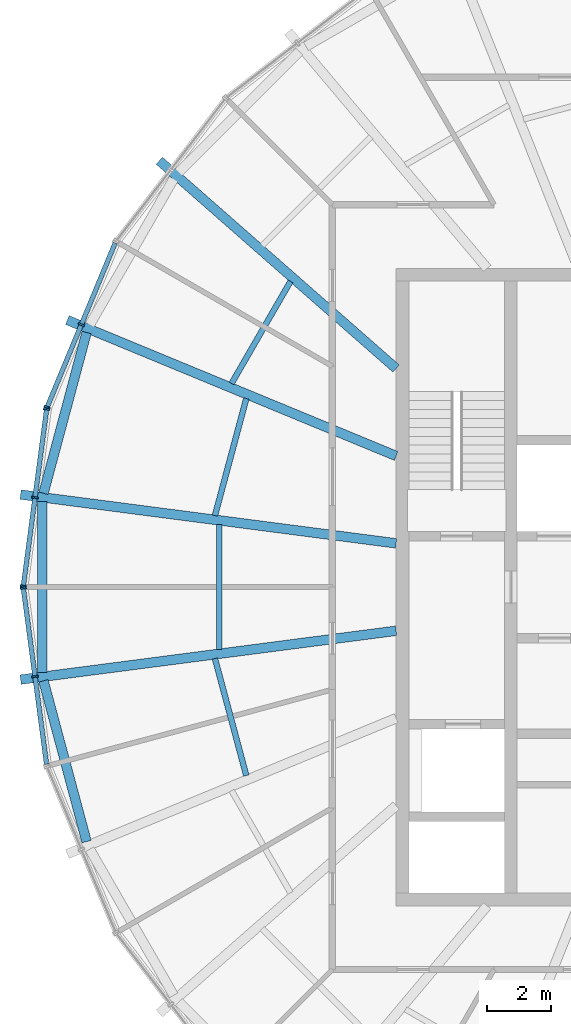
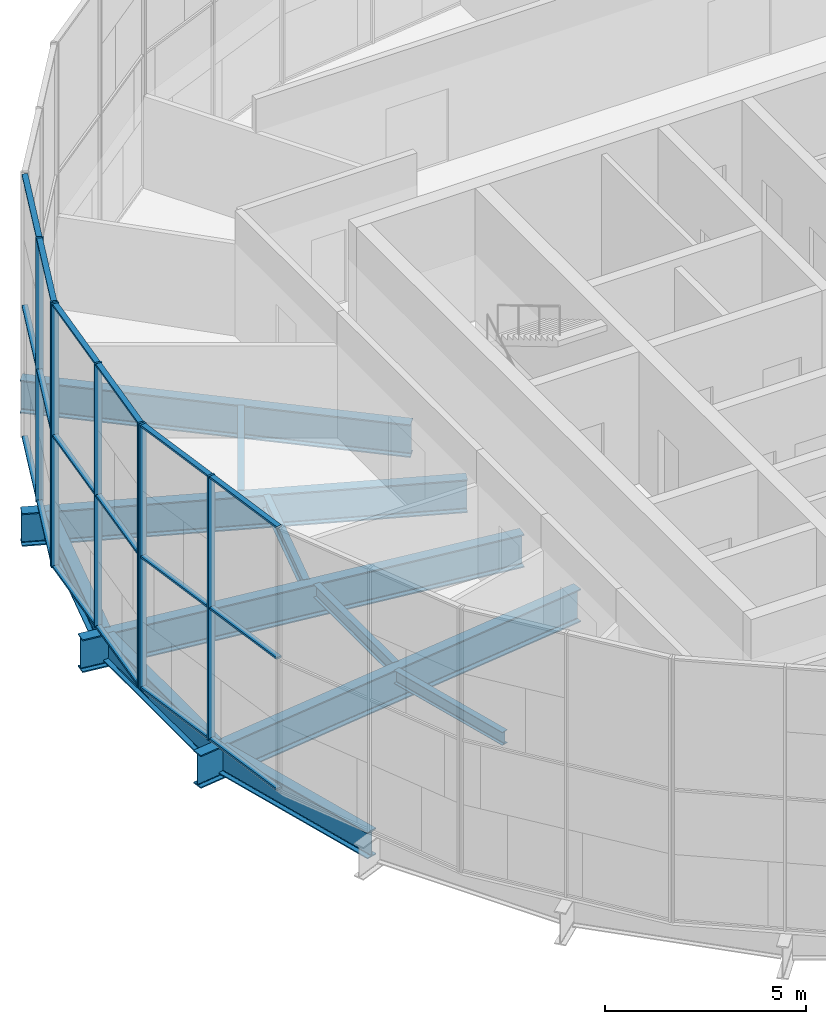
# One storey, part 3 of 18: 25 members, 11 beams, 3 elements without a shape of their own.
"""IFC4 building model written with IfcOpenShell, lengths in metres."""

from ifc_helpers import new_model, si_unit, direction, frame, origin, origin_2d, place, context, subcontext, project, spatial, rectangle, i_section, extrude, material, material_profile, profile_set, type_object, element, aggregate, save


model = new_model("IFC4")

# Units and contexts
model_context = context("Model", 3, precision=1e-05, world=origin(), true_north=direction((0.0, 1.0)))
body_context = subcontext(model_context, "Body", "Model", "MODEL_VIEW")
ifc_project = project(units=[si_unit("LENGTHUNIT", "METRE"), si_unit("AREAUNIT", "SQUARE_METRE"), si_unit("VOLUMEUNIT", "CUBIC_METRE"), si_unit("PLANEANGLEUNIT", "RADIAN"), si_unit("MASSUNIT", "GRAM", prefix="KILO")], contexts=[model_context])

# Site, building, storey
site_placement = place(None, origin())
site = spatial("IfcSite", under=ifc_project, at=site_placement, CompositionType="ELEMENT")
building_placement = place(site_placement, origin())
building = spatial("IfcBuilding", under=site, at=building_placement, Name="Golbaran Civic Tower", CompositionType="ELEMENT")
storey_placement = place(building_placement, frame((0.0, 0.0, 272.0)))
storey = spatial("IfcBuildingStorey", under=building, at=storey_placement, Name="L66", CompositionType="ELEMENT", Elevation=272.0)

# Beams
ifc_material_1 = material(Name="Steel S355", Category="steel")
ifc_material_profile_1 = material_profile(ifc_material_1, i_section(OverallWidth=0.300048828125, OverallDepth=0.800048828125, WebThickness=0.017578125, FlangeThickness=0.032958984375, FilletRadius=0.030029296875, at=origin_2d()), Name="HEB 800")
ifc_profile_set_1 = profile_set([ifc_material_profile_1], Name="Steel S355")
beam_type_1 = type_object("IfcBeamType", Name="EDGE BEAM HEB 800", PredefinedType="BEAM", material=ifc_profile_set_1)
beam_1_placement = place(storey_placement, frame((-19.710205078125, 7.986572265625, -0.60009765625), z_axis=(-0.258898847874, -0.965904439668, 0.0), x_axis=(0.965904439668, -0.258898847874, 0.0)))
element("IfcBeam", 1, at=beam_1_placement, inside=storey, type_object=beam_type_1, Name="Edge beam 157.59 L66", PredefinedType="BEAM", context=body_context, shape_type="SweptSolid", body=[
    extrude(i_section(OverallWidth=0.300048828125, OverallDepth=0.800048828125, WebThickness=0.017578125, FlangeThickness=0.032958984375, FilletRadius=0.030029296875, at=origin_2d()), origin(), (0.0, 0.0, 1.0), 5.22314453125),
])
beam_2_placement = place(storey_placement, frame((-21.096435546875, 2.68359375, -0.60009765625), z_axis=(0.0, -1.0, 0.0), x_axis=(1.0, 0.0, 0.0)))
element("IfcBeam", 2, at=beam_2_placement, inside=storey, type_object=beam_type_1, Name="Edge beam 172.41 L66", PredefinedType="BEAM", context=body_context, shape_type="SweptSolid", body=[
    extrude(i_section(OverallWidth=0.300048828125, OverallDepth=0.800048828125, WebThickness=0.017578125, FlangeThickness=0.032958984375, FilletRadius=0.030029296875, at=origin_2d()), origin(), (0.0, 0.0, 1.0), 5.3671875),
])
beam_3_placement = place(storey_placement, frame((-21.0625, -2.94140625, -0.60009765625), z_axis=(0.258898847874, -0.965904439668, 0.0), x_axis=(0.965904439668, 0.258898847874, 0.0)))
element("IfcBeam", 3, at=beam_3_placement, inside=storey, type_object=beam_type_1, Name="Edge beam 187.59 L66", PredefinedType="BEAM", context=body_context, shape_type="SweptSolid", body=[
    extrude(i_section(OverallWidth=0.300048828125, OverallDepth=0.800048828125, WebThickness=0.017578125, FlangeThickness=0.032958984375, FilletRadius=0.030029296875, at=origin_2d()), origin(), (0.0, 0.0, 1.0), 5.22314453125),
])
ifc_material_profile_2 = material_profile(ifc_material_1, i_section(OverallWidth=0.179931640625, OverallDepth=0.39990234375, WebThickness=0.008544921875, FlangeThickness=0.013427734375, FilletRadius=0.02099609375, at=origin_2d()), Name="IPE 400")
ifc_profile_set_2 = profile_set([ifc_material_profile_2], Name="Steel S355")
beam_type_2 = type_object("IfcBeamType", Name="FLOOR INFILL BEAM IPE 400", PredefinedType="BEAM", material=ifc_profile_set_2)
beam_4_placement = place(storey_placement, frame((-13.3125, 9.5908203125, -0.39990234375), z_axis=(-0.500015802937, -0.866016279763, 0.0), x_axis=(0.866016279763, -0.500015802937, 0.0)))
element("IfcBeam", 4, at=beam_4_placement, inside=storey, type_object=beam_type_2, Name="Infill beam 150.00 L66", PredefinedType="BEAM", context=body_context, shape_type="SweptSolid", body=[
    extrude(i_section(OverallWidth=0.179931640625, OverallDepth=0.39990234375, WebThickness=0.008544921875, FlangeThickness=0.013427734375, FilletRadius=0.02099609375, at=origin_2d()), origin(), (0.0, 0.0, 1.0), 3.6982421875),
])
beam_5_placement = place(storey_placement, frame((-14.69921875, 5.91552734375, -0.39990234375), z_axis=(-0.258813089189, -0.965927422152, 0.0), x_axis=(0.965927422152, -0.258813089189, 0.0)))
element("IfcBeam", 5, at=beam_5_placement, inside=storey, type_object=beam_type_2, Name="Infill beam 165.00 L66", PredefinedType="BEAM", context=body_context, shape_type="SweptSolid", body=[
    extrude(i_section(OverallWidth=0.179931640625, OverallDepth=0.39990234375, WebThickness=0.008544921875, FlangeThickness=0.013427734375, FilletRadius=0.02099609375, at=origin_2d()), origin(), (0.0, 0.0, 1.0), 3.803466796875),
])
beam_6_placement = place(storey_placement, frame((-15.548095703125, 1.9619140625, -0.39990234375), z_axis=(0.0, -1.0, 0.0), x_axis=(1.0, 0.0, 0.0)))
element("IfcBeam", 6, at=beam_6_placement, inside=storey, type_object=beam_type_2, Name="Infill beam 180.00 L66", PredefinedType="BEAM", context=body_context, shape_type="SweptSolid", body=[
    extrude(i_section(OverallWidth=0.179931640625, OverallDepth=0.39990234375, WebThickness=0.008544921875, FlangeThickness=0.013427734375, FilletRadius=0.02099609375, at=origin_2d()), origin(), (0.0, 0.0, 1.0), 3.923828125),
])
beam_7_placement = place(storey_placement, frame((-15.68359375, -2.24169921875, -0.39990234375), z_axis=(0.258813089189, -0.965927422152, 0.0), x_axis=(0.965927422152, 0.258813089189, 0.0)))
element("IfcBeam", 7, at=beam_7_placement, inside=storey, type_object=beam_type_2, Name="Infill beam 195.00 L66", PredefinedType="BEAM", context=body_context, shape_type="SweptSolid", body=[
    extrude(i_section(OverallWidth=0.179931640625, OverallDepth=0.39990234375, WebThickness=0.008544921875, FlangeThickness=0.013427734375, FilletRadius=0.02099609375, at=origin_2d()), origin(), (0.0, 0.0, 1.0), 3.803466796875),
])

# Curtain wall, members
ifc_material_2 = material(Name="Aluminium and glass", Category="aluminium")
curtain_wall_type = type_object("IfcCurtainWallType", Name="INNER SKIN CURTAIN WALL EXECUTIVE", PredefinedType="NOTDEFINED", material=ifc_material_2)
curtain_wall_1_placement = place(storey_placement, origin())
curtain_wall_1 = element("IfcCurtainWall", 8, at=curtain_wall_1_placement, inside=storey, type_object=curtain_wall_type, Name="Inner skin L66 facet 11 CW2", ObjectType="INNER SKIN", PredefinedType="USERDEFINED")
ifc_material_3 = material(Name="Aluminium", Category="aluminium")
ifc_material_profile_3 = material_profile(ifc_material_3, rectangle(XDim=0.199951171875, YDim=0.06005859375, at=origin_2d()), Name="INNER SKIN CURTAIN WALL EXECUTIVE MULLION")
ifc_profile_set_3 = profile_set([ifc_material_profile_3], Name="Aluminium")
member_type_1 = type_object("IfcMemberType", Name="INNER SKIN CURTAIN WALL EXECUTIVE MULLION", PredefinedType="MULLION", material=ifc_profile_set_3)
member_1_placement = place(storey_placement, frame((-19.875732421875, 8.23291015625, 0.0), z_axis=(0.0, 0.0, 1.0), x_axis=(0.923879532498, -0.382683432397, 0.0)))
member_1 = element("IfcMember", 9, at=member_1_placement, type_object=member_type_1, Name="CW2 mullion 2", PredefinedType="MULLION", context=body_context, shape_type="SweptSolid", body=[
    extrude(rectangle(XDim=0.199951171875, YDim=0.06005859375, at=origin_2d()), origin(), (0.0, 0.0, 1.0), 8.0),
])
member_2_placement = place(storey_placement, frame((-20.9482421875, 5.643798828125, 0.0), z_axis=(0.0, 0.0, 1.0), x_axis=(0.923879532498, -0.382683432397, 0.0)))
member_2 = element("IfcMember", 10, at=member_2_placement, type_object=member_type_1, Name="CW2 mullion 3", PredefinedType="MULLION", context=body_context, shape_type="SweptSolid", body=[
    extrude(rectangle(XDim=0.199951171875, YDim=0.06005859375, at=origin_2d()), origin(), (0.0, 0.0, 1.0), 8.0),
])

curtain_wall_2_placement = place(storey_placement, origin())
curtain_wall_2 = element("IfcCurtainWall", 11, at=curtain_wall_2_placement, inside=storey, type_object=curtain_wall_type, Name="Inner skin L66 facet 12 CW2", ObjectType="INNER SKIN", PredefinedType="USERDEFINED")
member_3_placement = place(storey_placement, frame((-20.963623046875, 5.58642578125, 0.0), z_axis=(0.0, 0.0, 1.0), x_axis=(0.991444861383, -0.130526192151, 0.0)))
member_3 = element("IfcMember", 12, at=member_3_placement, type_object=member_type_1, Name="CW2 mullion 1", PredefinedType="MULLION", context=body_context, shape_type="SweptSolid", body=[
    extrude(rectangle(XDim=0.199951171875, YDim=0.06005859375, at=origin_2d()), origin(), (0.0, 0.0, 1.0), 8.0),
])
member_4_placement = place(storey_placement, frame((-21.329345703125, 2.80810546875, 0.0), z_axis=(0.0, 0.0, 1.0), x_axis=(0.991444861383, -0.130526192151, 0.0)))
member_4 = element("IfcMember", 13, at=member_4_placement, type_object=member_type_1, Name="CW2 mullion 2", PredefinedType="MULLION", context=body_context, shape_type="SweptSolid", body=[
    extrude(rectangle(XDim=0.199951171875, YDim=0.06005859375, at=origin_2d()), origin(), (0.0, 0.0, 1.0), 8.0),
])
member_5_placement = place(storey_placement, frame((-21.695068359375, 0.02978515625, 0.0), z_axis=(0.0, 0.0, 1.0), x_axis=(0.991444861383, -0.130526192151, 0.0)))
member_5 = element("IfcMember", 14, at=member_5_placement, type_object=member_type_1, Name="CW2 mullion 3", PredefinedType="MULLION", context=body_context, shape_type="SweptSolid", body=[
    extrude(rectangle(XDim=0.199951171875, YDim=0.06005859375, at=origin_2d()), origin(), (0.0, 0.0, 1.0), 8.0),
])

curtain_wall_3_placement = place(storey_placement, origin())
curtain_wall_3 = element("IfcCurtainWall", 15, at=curtain_wall_3_placement, inside=storey, type_object=curtain_wall_type, Name="Inner skin L66 facet 13 CW2", ObjectType="INNER SKIN", PredefinedType="USERDEFINED")
member_6_placement = place(storey_placement, frame((-21.695068359375, -0.02978515625, 0.0), z_axis=(0.0, 0.0, 1.0), x_axis=(0.991444861383, 0.130526192151, 0.0)))
member_6 = element("IfcMember", 16, at=member_6_placement, type_object=member_type_1, Name="CW2 mullion 1", PredefinedType="MULLION", context=body_context, shape_type="SweptSolid", body=[
    extrude(rectangle(XDim=0.199951171875, YDim=0.06005859375, at=origin_2d()), origin(), (0.0, 0.0, 1.0), 8.0),
])
member_7_placement = place(storey_placement, frame((-21.329345703125, -2.80810546875, 0.0), z_axis=(0.0, 0.0, 1.0), x_axis=(0.991444861383, 0.130526192151, 0.0)))
member_7 = element("IfcMember", 17, at=member_7_placement, type_object=member_type_1, Name="CW2 mullion 2", PredefinedType="MULLION", context=body_context, shape_type="SweptSolid", body=[
    extrude(rectangle(XDim=0.199951171875, YDim=0.06005859375, at=origin_2d()), origin(), (0.0, 0.0, 1.0), 8.0),
])

# Member
ifc_material_profile_4 = material_profile(ifc_material_3, rectangle(XDim=0.14990234375, YDim=0.06005859375, at=origin_2d()), Name="INNER SKIN CURTAIN WALL EXECUTIVE TRANSOM")
ifc_profile_set_4 = profile_set([ifc_material_profile_4], Name="Aluminium")
member_type_2 = type_object("IfcMemberType", Name="INNER SKIN CURTAIN WALL EXECUTIVE TRANSOM", PredefinedType="USERDEFINED", material=ifc_profile_set_4)
member_8_placement = place(storey_placement, frame((-18.81494140625, 10.7939453125, 0.030029296875), z_axis=(-0.382661079663, -0.923888790987, 0.0), x_axis=(0.923888790987, -0.382661079663, 0.0)))
member_8 = element("IfcMember", 18, at=member_8_placement, type_object=member_type_2, Name="CW2 transom 1.1", ObjectType="TRANSOM", PredefinedType="USERDEFINED", context=body_context, shape_type="SweptSolid", body=[
    extrude(rectangle(XDim=0.14990234375, YDim=0.06005859375, at=origin_2d()), origin(), (0.0, 0.0, 1.0), 2.7421875),
])

member_9_placement = place(storey_placement, frame((-18.81494140625, 10.7939453125, 4.0), z_axis=(-0.382661079663, -0.923888790987, 0.0), x_axis=(0.923888790987, -0.382661079663, 0.0)))
member_9 = element("IfcMember", 19, at=member_9_placement, type_object=member_type_2, Name="CW2 transom 1.2", ObjectType="TRANSOM", PredefinedType="USERDEFINED", context=body_context, shape_type="SweptSolid", body=[
    extrude(rectangle(XDim=0.14990234375, YDim=0.06005859375, at=origin_2d()), origin(), (0.0, 0.0, 1.0), 2.7421875),
])

member_10_placement = place(storey_placement, frame((-18.81494140625, 10.7939453125, 7.969970703125), z_axis=(-0.382661079663, -0.923888790987, 0.0), x_axis=(0.923888790987, -0.382661079663, 0.0)))
member_10 = element("IfcMember", 20, at=member_10_placement, type_object=member_type_2, Name="CW2 transom 1.3", ObjectType="TRANSOM", PredefinedType="USERDEFINED", context=body_context, shape_type="SweptSolid", body=[
    extrude(rectangle(XDim=0.14990234375, YDim=0.06005859375, at=origin_2d()), origin(), (0.0, 0.0, 1.0), 2.7421875),
])

member_11_placement = place(storey_placement, frame((-19.88720703125, 8.205078125, 0.030029296875), z_axis=(-0.382737071174, -0.923857312765, 0.0), x_axis=(0.923857312765, -0.382737071174, 0.0)))
member_11 = element("IfcMember", 21, at=member_11_placement, type_object=member_type_2, Name="CW2 transom 2.1", ObjectType="TRANSOM", PredefinedType="USERDEFINED", context=body_context, shape_type="SweptSolid", body=[
    extrude(rectangle(XDim=0.14990234375, YDim=0.06005859375, at=origin_2d()), origin(), (0.0, 0.0, 1.0), 2.7421875),
])

member_12_placement = place(storey_placement, frame((-19.88720703125, 8.205078125, 4.0), z_axis=(-0.382737071174, -0.923857312765, 0.0), x_axis=(0.923857312765, -0.382737071174, 0.0)))
member_12 = element("IfcMember", 22, at=member_12_placement, type_object=member_type_2, Name="CW2 transom 2.2", ObjectType="TRANSOM", PredefinedType="USERDEFINED", context=body_context, shape_type="SweptSolid", body=[
    extrude(rectangle(XDim=0.14990234375, YDim=0.06005859375, at=origin_2d()), origin(), (0.0, 0.0, 1.0), 2.7421875),
])

member_13_placement = place(storey_placement, frame((-19.88720703125, 8.205078125, 7.969970703125), z_axis=(-0.382737071174, -0.923857312765, 0.0), x_axis=(0.923857312765, -0.382737071174, 0.0)))
member_13 = element("IfcMember", 23, at=member_13_placement, type_object=member_type_2, Name="CW2 transom 2.3", ObjectType="TRANSOM", PredefinedType="USERDEFINED", context=body_context, shape_type="SweptSolid", body=[
    extrude(rectangle(XDim=0.14990234375, YDim=0.06005859375, at=origin_2d()), origin(), (0.0, 0.0, 1.0), 2.7421875),
])

aggregate(curtain_wall_1, [member_1, member_2, member_8, member_9, member_10, member_11, member_12, member_13])

member_14_placement = place(storey_placement, frame((-20.967529296875, 5.556640625, 0.030029296875), z_axis=(-0.130518997427, -0.99144580856, 0.0), x_axis=(0.99144580856, -0.130518997427, 0.0)))
member_14 = element("IfcMember", 24, at=member_14_placement, type_object=member_type_2, Name="CW2 transom 1.1", ObjectType="TRANSOM", PredefinedType="USERDEFINED", context=body_context, shape_type="SweptSolid", body=[
    extrude(rectangle(XDim=0.14990234375, YDim=0.06005859375, at=origin_2d()), origin(), (0.0, 0.0, 1.0), 2.7421875),
])

member_15_placement = place(storey_placement, frame((-20.967529296875, 5.556640625, 4.0), z_axis=(-0.130518997427, -0.99144580856, 0.0), x_axis=(0.99144580856, -0.130518997427, 0.0)))
member_15 = element("IfcMember", 25, at=member_15_placement, type_object=member_type_2, Name="CW2 transom 1.2", ObjectType="TRANSOM", PredefinedType="USERDEFINED", context=body_context, shape_type="SweptSolid", body=[
    extrude(rectangle(XDim=0.14990234375, YDim=0.06005859375, at=origin_2d()), origin(), (0.0, 0.0, 1.0), 2.7421875),
])

member_16_placement = place(storey_placement, frame((-20.967529296875, 5.556640625, 7.969970703125), z_axis=(-0.130518997427, -0.99144580856, 0.0), x_axis=(0.99144580856, -0.130518997427, 0.0)))
member_16 = element("IfcMember", 26, at=member_16_placement, type_object=member_type_2, Name="CW2 transom 1.3", ObjectType="TRANSOM", PredefinedType="USERDEFINED", context=body_context, shape_type="SweptSolid", body=[
    extrude(rectangle(XDim=0.14990234375, YDim=0.06005859375, at=origin_2d()), origin(), (0.0, 0.0, 1.0), 2.7421875),
])

member_17_placement = place(storey_placement, frame((-21.333251953125, 2.7783203125, 0.030029296875), z_axis=(-0.130518997427, -0.99144580856, 0.0), x_axis=(0.99144580856, -0.130518997427, 0.0)))
member_17 = element("IfcMember", 27, at=member_17_placement, type_object=member_type_2, Name="CW2 transom 2.1", ObjectType="TRANSOM", PredefinedType="USERDEFINED", context=body_context, shape_type="SweptSolid", body=[
    extrude(rectangle(XDim=0.14990234375, YDim=0.06005859375, at=origin_2d()), origin(), (0.0, 0.0, 1.0), 2.7421875),
])

member_18_placement = place(storey_placement, frame((-21.333251953125, 2.7783203125, 4.0), z_axis=(-0.130518997427, -0.99144580856, 0.0), x_axis=(0.99144580856, -0.130518997427, 0.0)))
member_18 = element("IfcMember", 28, at=member_18_placement, type_object=member_type_2, Name="CW2 transom 2.2", ObjectType="TRANSOM", PredefinedType="USERDEFINED", context=body_context, shape_type="SweptSolid", body=[
    extrude(rectangle(XDim=0.14990234375, YDim=0.06005859375, at=origin_2d()), origin(), (0.0, 0.0, 1.0), 2.7421875),
])

member_19_placement = place(storey_placement, frame((-21.333251953125, 2.7783203125, 7.969970703125), z_axis=(-0.130518997427, -0.99144580856, 0.0), x_axis=(0.99144580856, -0.130518997427, 0.0)))
member_19 = element("IfcMember", 29, at=member_19_placement, type_object=member_type_2, Name="CW2 transom 2.3", ObjectType="TRANSOM", PredefinedType="USERDEFINED", context=body_context, shape_type="SweptSolid", body=[
    extrude(rectangle(XDim=0.14990234375, YDim=0.06005859375, at=origin_2d()), origin(), (0.0, 0.0, 1.0), 2.7421875),
])

aggregate(curtain_wall_2, [member_3, member_4, member_5, member_14, member_15, member_16, member_17, member_18, member_19])

member_20_placement = place(storey_placement, frame((-21.691162109375, -0.0595703125, 0.030029296875), z_axis=(0.130518997427, -0.99144580856, 0.0), x_axis=(0.99144580856, 0.130518997427, 0.0)))
member_20 = element("IfcMember", 30, at=member_20_placement, type_object=member_type_2, Name="CW2 transom 1.1", ObjectType="TRANSOM", PredefinedType="USERDEFINED", context=body_context, shape_type="SweptSolid", body=[
    extrude(rectangle(XDim=0.14990234375, YDim=0.06005859375, at=origin_2d()), origin(), (0.0, 0.0, 1.0), 2.7421875),
])

member_21_placement = place(storey_placement, frame((-21.691162109375, -0.0595703125, 4.0), z_axis=(0.130518997427, -0.99144580856, 0.0), x_axis=(0.99144580856, 0.130518997427, 0.0)))
member_21 = element("IfcMember", 31, at=member_21_placement, type_object=member_type_2, Name="CW2 transom 1.2", ObjectType="TRANSOM", PredefinedType="USERDEFINED", context=body_context, shape_type="SweptSolid", body=[
    extrude(rectangle(XDim=0.14990234375, YDim=0.06005859375, at=origin_2d()), origin(), (0.0, 0.0, 1.0), 2.7421875),
])

member_22_placement = place(storey_placement, frame((-21.691162109375, -0.0595703125, 7.969970703125), z_axis=(0.130518997427, -0.99144580856, 0.0), x_axis=(0.99144580856, 0.130518997427, 0.0)))
member_22 = element("IfcMember", 32, at=member_22_placement, type_object=member_type_2, Name="CW2 transom 1.3", ObjectType="TRANSOM", PredefinedType="USERDEFINED", context=body_context, shape_type="SweptSolid", body=[
    extrude(rectangle(XDim=0.14990234375, YDim=0.06005859375, at=origin_2d()), origin(), (0.0, 0.0, 1.0), 2.7421875),
])

member_23_placement = place(storey_placement, frame((-21.325439453125, -2.837890625, 0.030029296875), z_axis=(0.130518997427, -0.99144580856, 0.0), x_axis=(0.99144580856, 0.130518997427, 0.0)))
member_23 = element("IfcMember", 33, at=member_23_placement, type_object=member_type_2, Name="CW2 transom 2.1", ObjectType="TRANSOM", PredefinedType="USERDEFINED", context=body_context, shape_type="SweptSolid", body=[
    extrude(rectangle(XDim=0.14990234375, YDim=0.06005859375, at=origin_2d()), origin(), (0.0, 0.0, 1.0), 2.7421875),
])

member_24_placement = place(storey_placement, frame((-21.325439453125, -2.837890625, 4.0), z_axis=(0.130518997427, -0.99144580856, 0.0), x_axis=(0.99144580856, 0.130518997427, 0.0)))
member_24 = element("IfcMember", 34, at=member_24_placement, type_object=member_type_2, Name="CW2 transom 2.2", ObjectType="TRANSOM", PredefinedType="USERDEFINED", context=body_context, shape_type="SweptSolid", body=[
    extrude(rectangle(XDim=0.14990234375, YDim=0.06005859375, at=origin_2d()), origin(), (0.0, 0.0, 1.0), 2.7421875),
])

member_25_placement = place(storey_placement, frame((-21.325439453125, -2.837890625, 7.969970703125), z_axis=(0.130518997427, -0.99144580856, 0.0), x_axis=(0.99144580856, 0.130518997427, 0.0)))
member_25 = element("IfcMember", 35, at=member_25_placement, type_object=member_type_2, Name="CW2 transom 2.3", ObjectType="TRANSOM", PredefinedType="USERDEFINED", context=body_context, shape_type="SweptSolid", body=[
    extrude(rectangle(XDim=0.14990234375, YDim=0.06005859375, at=origin_2d()), origin(), (0.0, 0.0, 1.0), 2.7421875),
])

aggregate(curtain_wall_3, [member_6, member_7, member_20, member_21, member_22, member_23, member_24, member_25])

# Beams
ifc_material_profile_5 = material_profile(ifc_material_1, i_section(OverallWidth=0.300048828125, OverallDepth=1.0, WebThickness=0.01904296875, FlangeThickness=0.035888671875, FilletRadius=0.030029296875, at=origin_2d()), Name="HEB 1000")
ifc_profile_set_5 = profile_set([ifc_material_profile_5], Name="Steel S355")
beam_type_3 = type_object("IfcBeamType", Name="RADIAL FLOOR BEAM HEB 1000", PredefinedType="BEAM", material=ifc_profile_set_5)
beam_8_placement = place(storey_placement, frame((-10.0, 6.857177734375, -0.7099609375), z_axis=(-0.751650181084, 0.659561979859, 0.0), x_axis=(-0.659561979859, -0.751650181084, 0.0)))
element("IfcBeam", 36, at=beam_8_placement, inside=storey, type_object=beam_type_3, Name="Radial beam 142.41 L66", PredefinedType="BEAM", context=body_context, shape_type="SweptSolid", body=[
    extrude(i_section(OverallWidth=0.300048828125, OverallDepth=1.0, WebThickness=0.01904296875, FlangeThickness=0.035888671875, FilletRadius=0.030029296875, at=origin_2d()), origin(), (0.0, 0.0, 1.0), 9.883544921875),
])
beam_9_placement = place(storey_placement, frame((-10.0, 4.1142578125, -0.7099609375), z_axis=(-0.924184384118, 0.381946624744, 0.0), x_axis=(-0.381946624744, -0.924184384118, 0.0)))
element("IfcBeam", 37, at=beam_9_placement, inside=storey, type_object=beam_type_3, Name="Radial beam 157.59 L66", PredefinedType="BEAM", context=body_context, shape_type="SweptSolid", body=[
    extrude(i_section(OverallWidth=0.300048828125, OverallDepth=1.0, WebThickness=0.01904296875, FlangeThickness=0.035888671875, FilletRadius=0.030029296875, at=origin_2d()), origin(), (0.0, 0.0, 1.0), 11.159912109375),
])
for number, where, z_axis, x_axis, name in (
    (38, (-10.0, 1.371337890625, -0.7099609375), (-0.991647444666, 0.128978081419, 0.0), (-0.128978081419, -0.991647444666, 0.0), "Radial beam 172.41 L66"),
    (39, (-10.0, -1.371337890625, -0.7099609375), (-0.991647444666, -0.128978081419, 0.0), (0.128978081419, -0.991647444666, 0.0), "Radial beam 187.59 L66"),
):
    element("IfcBeam", number, at=place(storey_placement, frame(where, z_axis=z_axis, x_axis=x_axis)), inside=storey, type_object=beam_type_3, Name=name, PredefinedType="BEAM", context=body_context, shape_type="SweptSolid", body=[
        extrude(i_section(OverallWidth=0.300048828125, OverallDepth=1.0, WebThickness=0.01904296875, FlangeThickness=0.035888671875, FilletRadius=0.030029296875, at=origin_2d()), origin(), (0.0, 0.0, 1.0), 11.879638671875),
    ])

save(model, "model.ifc")
